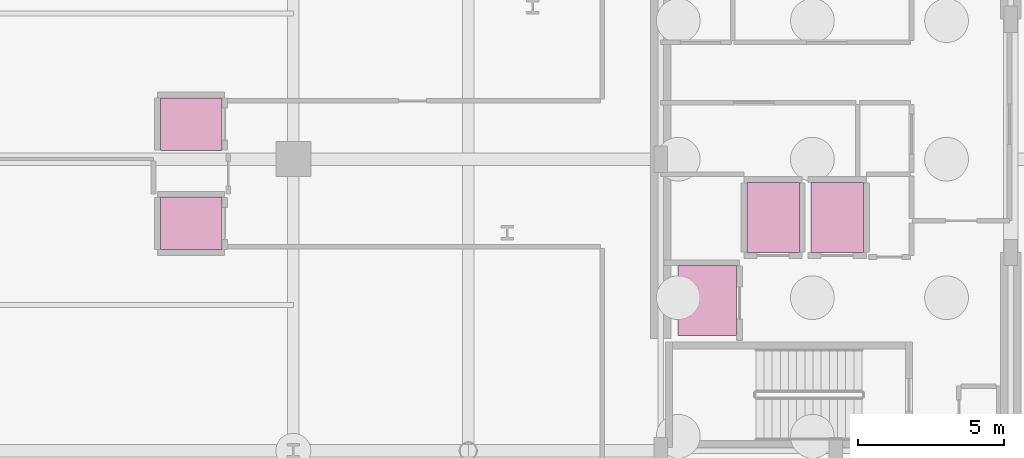
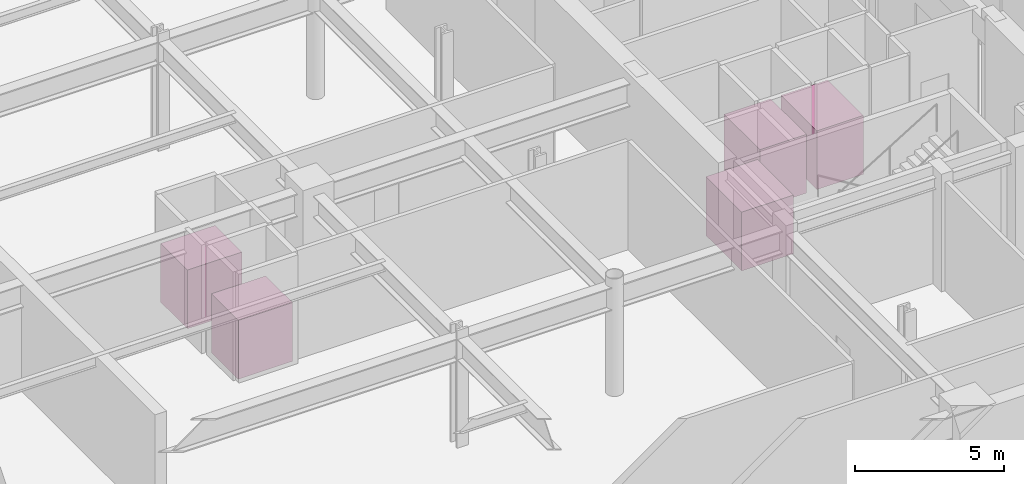
# One storey, part 25 of 25: 5 transport elements.
"""IFC4 building model written with IfcOpenShell, lengths in metres."""

import ifcopenshell
import ifcopenshell.guid

model = None  # the IFC model being written
_history = None  # IfcOwnerHistory: only IFC2X3 demands one
_inside = {}  # id of a spatial element -> (the spatial element, [elements in it])
_under = {}  # id of a project, library or spatial element -> (it, [spatial elements below it])
_declared = {}  # id of a project -> (the project, [libraries it declares])
_typed = {}  # id of a type object -> (the type object, [elements of that type])
_made_of = {}  # id of a material, layer set ... -> (it, [elements and type objects made of it])


def new_model(schema):
    """Start an empty IFC model of exactly this schema.

    Asked for "IFC4X3", IfcOpenShell would pick the latest addendum, in which some entities
    have other attributes; the version numbers below select the first issue.
    IFC2X3 requires an IfcOwnerHistory on every rooted entity: one is made here for all.
    """
    global model, _history
    if schema == "IFC4X3":
        model = ifcopenshell.file(schema_version=(4, 3, 0, 0))
    else:
        model = ifcopenshell.file(schema=schema)
    _inside.clear()
    _under.clear()
    _declared.clear()
    _typed.clear()
    _made_of.clear()
    _history = None
    if model.schema == "IFC2X3":
        org = make("IfcOrganization", Name="unknown")
        user = make(
            "IfcPersonAndOrganization",
            ThePerson=make("IfcPerson", FamilyName="unknown"),
            TheOrganization=org,
        )
        app = make(
            "IfcApplication",
            ApplicationDeveloper=org,
            Version="unknown",
            ApplicationFullName="unknown",
            ApplicationIdentifier="unknown",
        )
        _history = make(
            "IfcOwnerHistory",
            OwningUser=user,
            OwningApplication=app,
            ChangeAction="ADDED",
            CreationDate=0,
        )
    return model


def make(cls, **values):
    """One entity of the class cls with the attributes given. An attribute that is None is left unset."""
    return model.create_entity(
        cls, **{name: value for name, value in values.items() if value is not None}
    )


def rooted(cls, **values):
    """An entity with a GlobalId (a new one), such as an element, a storey or a relation."""
    return make(cls, GlobalId=ifcopenshell.guid.new(), OwnerHistory=_history, **values)


def si_unit(unit_type, name, prefix=None):
    """IfcSIUnit, for example si_unit("LENGTHUNIT", "METRE", prefix="MILLI")."""
    return make("IfcSIUnit", UnitType=unit_type, Prefix=prefix, Name=name)


def assignment(units):
    """IfcUnitAssignment: the units of a project."""
    return None if units is None else make("IfcUnitAssignment", Units=units)


def point(xyz):
    """IfcCartesianPoint."""
    return None if xyz is None else make("IfcCartesianPoint", Coordinates=xyz)


def direction(xyz):
    """IfcDirection."""
    return None if xyz is None else make("IfcDirection", DirectionRatios=xyz)


def frame(location, z_axis=None, x_axis=None):
    """IfcAxis2Placement3D, a coordinate frame: its origin and axes. An axis left out is left unset."""
    return make(
        "IfcAxis2Placement3D",
        Location=point(location),
        Axis=direction(z_axis),
        RefDirection=direction(x_axis),
    )


def frame_2d(location, x_axis=None):
    """IfcAxis2Placement2D, a coordinate frame in the plane: its origin and x axis."""
    return make(
        "IfcAxis2Placement2D", Location=point(location), RefDirection=direction(x_axis)
    )


def origin():
    """The frame at (0, 0, 0) with its axes left unset."""
    return frame((0.0, 0.0, 0.0))


def origin_2d():
    """The frame at (0, 0) in the plane with its x axis left unset."""
    return frame_2d((0.0, 0.0))


def place(relative_to, where):
    """IfcLocalPlacement: puts the frame where relative to a parent placement (None: the world)."""
    return make(
        "IfcLocalPlacement", PlacementRelTo=relative_to, RelativePlacement=where
    )


def context(
    kind, dimensions, precision=None, world=None, true_north=None, identifier=None
):
    """IfcGeometricRepresentationContext, for example the 3D "Model" context."""
    return make(
        "IfcGeometricRepresentationContext",
        ContextIdentifier=identifier,
        ContextType=kind,
        CoordinateSpaceDimension=dimensions,
        Precision=precision,
        WorldCoordinateSystem=world,
        TrueNorth=true_north,
    )


def subcontext(parent, identifier, kind, view, scale=None):
    """IfcGeometricRepresentationSubContext, for example "Body" below "Model"."""
    return make(
        "IfcGeometricRepresentationSubContext",
        ContextIdentifier=identifier,
        ContextType=kind,
        ParentContext=parent,
        TargetScale=scale,
        TargetView=view,
    )


def project(units=None, contexts=None):
    """IfcProject with its units and contexts."""
    return rooted(
        "IfcProject",
        Name="project",
        RepresentationContexts=contexts,
        UnitsInContext=assignment(units),
    )


def spatial(cls, under=None, at=None, **own):
    """A site, building, storey or space (cls), placed at a placement, below another one or the project."""
    s = rooted(cls, ObjectPlacement=at, **own)
    if under is not None:
        _under.setdefault(under.id(), (under, []))[1].append(s)
    return s


def profile(cls, at=None, kind="AREA", **sizes):
    """A parametric profile (cls). Its sizes go by their IFC names, for example OverallWidth=200.0."""
    return make(cls, ProfileType=kind, Position=at, **sizes)


def rectangle(**sizes):
    """IfcRectangleProfileDef."""
    return profile("IfcRectangleProfileDef", **sizes)


def extrude(swept, where, along, depth):
    """IfcExtrudedAreaSolid: the profile swept, set in the frame where, extruded along a direction by depth."""
    return make(
        "IfcExtrudedAreaSolid",
        SweptArea=swept,
        Position=where,
        ExtrudedDirection=direction(along),
        Depth=depth,
    )


def shape(context_of_items, identifier, shape_type, items):
    """IfcShapeRepresentation: the items that make up one representation, for example the "Body"."""
    return make(
        "IfcShapeRepresentation",
        ContextOfItems=context_of_items,
        RepresentationIdentifier=identifier,
        RepresentationType=shape_type,
        Items=items,
    )


def material(Name=None, Category=None):
    """IfcMaterial."""
    return make("IfcMaterial", Name=Name, Category=Category)


def made_of(thing, what):
    """Note that an element or type object is made of a material, layer set ...; save() writes the relation."""
    if what is not None:
        _made_of.setdefault(what.id(), (what, []))[1].append(thing)
    return thing


def type_object(cls, material=None, **own):
    """A type object (cls), such as IfcWallType, which elements share."""
    return made_of(rooted(cls, **own), material)


def element(
    cls,
    number,
    at=None,
    inside=None,
    cuts=None,
    type_object=None,
    material=None,
    context=None,
    identifier="Body",
    shape_type=None,
    held_by="IfcProductDefinitionShape",
    body=None,
    shapes=None,
    **own,
):
    """One element of the class cls, such as IfcWall. Its Tag is "e" and its number.

    at: its placement. inside: the storey or other place that contains it. cuts: it is an
    opening in that element (IfcRelVoidsElement). A single representation is given by context,
    identifier, shape_type and body (its items); several are given by shapes. held_by: the class
    of the entity that holds the representations. save() writes the other relations.
    """
    e = rooted(cls, Tag="e%d" % number, ObjectPlacement=at, **own)
    if body is not None:
        shapes = [shape(context, identifier, shape_type, body)]
    if shapes is not None:
        e.Representation = make(held_by, Representations=shapes)
    if inside is not None:
        _inside.setdefault(inside.id(), (inside, []))[1].append(e)
    if cuts is not None:
        rooted(
            "IfcRelVoidsElement", RelatingBuildingElement=cuts, RelatedOpeningElement=e
        )
    if type_object is not None:
        _typed.setdefault(type_object.id(), (type_object, []))[1].append(e)
    return made_of(e, material)


def aggregate(whole, parts):
    """IfcRelAggregates: a whole, such as a stair, and the parts it consists of."""
    return rooted("IfcRelAggregates", RelatingObject=whole, RelatedObjects=parts)


def save(model, path):
    """Write the relations noted so far, then the file.

    IfcRelAggregates (storeys below a building ...), IfcRelContainedInSpatialStructure (elements
    in a storey), IfcRelDefinesByType, IfcRelAssociatesMaterial and IfcRelDeclares: one each for
    every whole, place, type object, material and project.
    """
    for whole, parts in _under.values():
        aggregate(whole, parts)
    for where, things in _inside.values():
        rooted(
            "IfcRelContainedInSpatialStructure",
            RelatedElements=things,
            RelatingStructure=where,
        )
    for kind, things in _typed.values():
        rooted("IfcRelDefinesByType", RelatedObjects=things, RelatingType=kind)
    for what, things in _made_of.values():
        rooted("IfcRelAssociatesMaterial", RelatedObjects=things, RelatingMaterial=what)
    for by, libraries in _declared.values():
        rooted("IfcRelDeclares", RelatingContext=by, RelatedDefinitions=libraries)
    model.write(path)


model = new_model("IFC4")

# Units and contexts
model_context = context("Model", 3, precision=1e-05, world=origin(), true_north=direction((0.0, 1.0)))
body_context = subcontext(model_context, "Body", "Model", "MODEL_VIEW")
ifc_project = project(units=[si_unit("LENGTHUNIT", "METRE"), si_unit("AREAUNIT", "SQUARE_METRE"), si_unit("VOLUMEUNIT", "CUBIC_METRE"), si_unit("PLANEANGLEUNIT", "RADIAN"), si_unit("MASSUNIT", "GRAM", prefix="KILO")], contexts=[model_context])

# Site, building, storey
site_placement = place(None, origin())
site = spatial("IfcSite", under=ifc_project, at=site_placement, CompositionType="ELEMENT")
building_placement = place(site_placement, origin())
building = spatial("IfcBuilding", under=site, at=building_placement, Name="Soratama Intermodal Tower", CompositionType="ELEMENT")
storey_placement = place(building_placement, frame((0.0, 0.0, -10.199951171875)))
storey = spatial("IfcBuildingStorey", under=building, at=storey_placement, Name="B2", CompositionType="ELEMENT", Elevation=-10.199951171875)

# Transport elements
ifc_material_1 = material(Name="Stainless steel fire lift car", Category="steel")
transport_element_type_1 = type_object("IfcTransportElementType", Name="LF-FIRE-1800X2400", PredefinedType="ELEVATOR", material=ifc_material_1)
for number, where, z_axis, x_axis, name in (
    (1, (36.449951171875, 23.0, 0.0), (0.0, 0.0, 1.0), (1.0, 0.0, 0.0), "Firefighting Lift FFL-1"),
    (2, (38.64990234375, 23.0, 0.0), (0.0, 0.0, 1.0), (1.0, 0.0, 0.0), "Firefighting Lift FFL-2"),
):
    element("IfcTransportElement", number, at=place(storey_placement, frame(where, z_axis=z_axis, x_axis=x_axis)), inside=storey, type_object=transport_element_type_1, Name=name, PredefinedType="ELEVATOR", context=body_context, shape_type="SweptSolid", body=[
        extrude(rectangle(XDim=1.800048828125, YDim=2.39990234375, at=origin_2d()), origin(), (0.0, 0.0, 1.0), 2.39990234375),
    ])
ifc_material_2 = material(Name="Brushed bronze passenger lift car", Category="steel")
transport_element_type_2 = type_object("IfcTransportElementType", Name="LF-PASS-1800X2100", PredefinedType="ELEVATOR", material=ifc_material_2)
for number, where, z_axis, x_axis, name in (
    (3, (16.5, 22.800048828125, 0.0), (0.0, 0.0, 1.0), (1.0, 0.0, 0.0), "Podium Passenger Lift PL-P1"),
    (4, (16.5, 26.199951171875, 0.0), (0.0, 0.0, 1.0), (1.0, 0.0, 0.0), "Podium Passenger Lift PL-P2"),
):
    element("IfcTransportElement", number, at=place(storey_placement, frame(where, z_axis=z_axis, x_axis=x_axis)), inside=storey, type_object=transport_element_type_2, Name=name, PredefinedType="ELEVATOR", context=body_context, shape_type="SweptSolid", body=[
        extrude(rectangle(XDim=2.10009765625, YDim=1.800048828125, at=origin_2d()), origin(), (0.0, 0.0, 1.0), 2.39990234375),
    ])
ifc_material_3 = material(Name="Stainless steel service lift car", Category="steel")
transport_element_type_3 = type_object("IfcTransportElementType", Name="LF-SERV-2000X2400", PredefinedType="ELEVATOR", material=ifc_material_3)
transport_element_placement = place(storey_placement, frame((34.199951171875, 20.14990234375, 0.0), z_axis=(0.0, 0.0, 1.0), x_axis=(1.0, 0.0, 0.0)))
element("IfcTransportElement", 5, at=transport_element_placement, inside=storey, type_object=transport_element_type_3, Name="Service Lift SVL-1", PredefinedType="ELEVATOR", context=body_context, shape_type="SweptSolid", body=[
    extrude(rectangle(XDim=2.0, YDim=2.39990234375, at=origin_2d()), origin(), (0.0, 0.0, 1.0), 2.39990234375),
])

save(model, "model.ifc")
